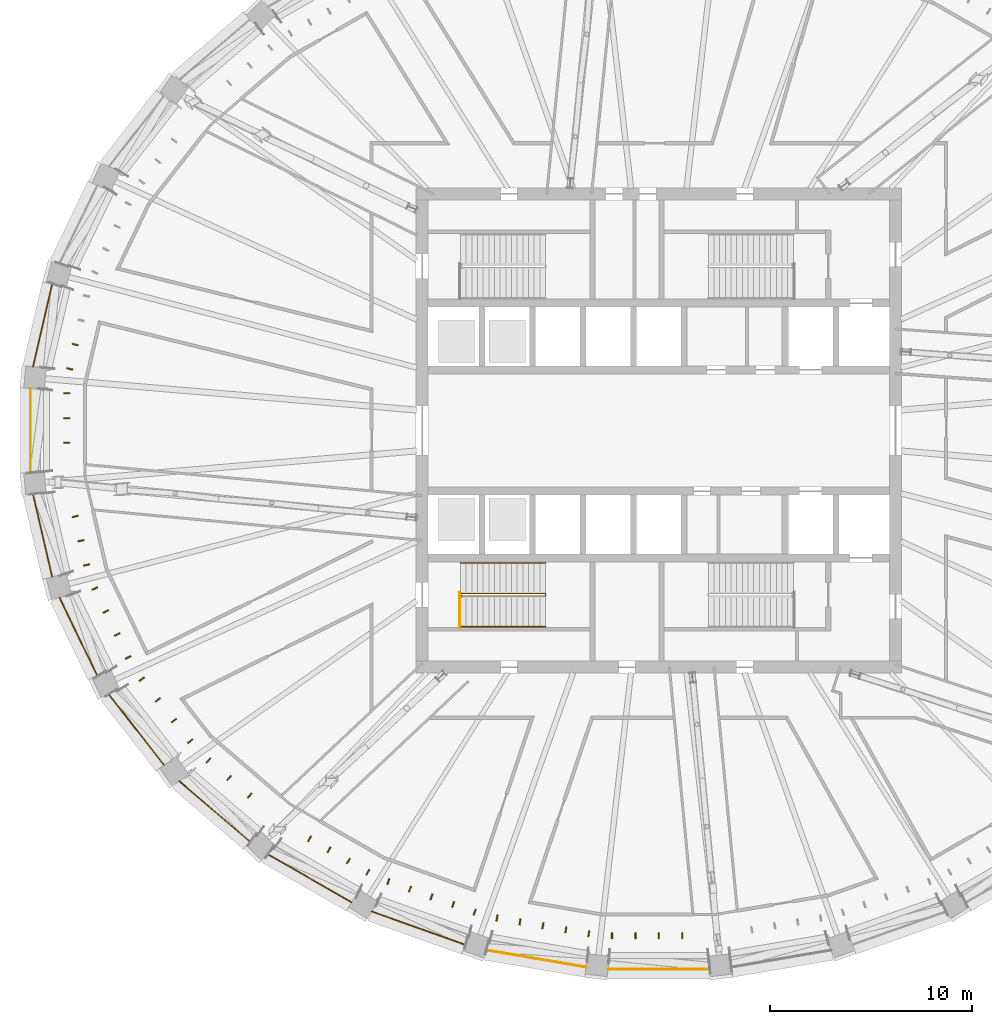
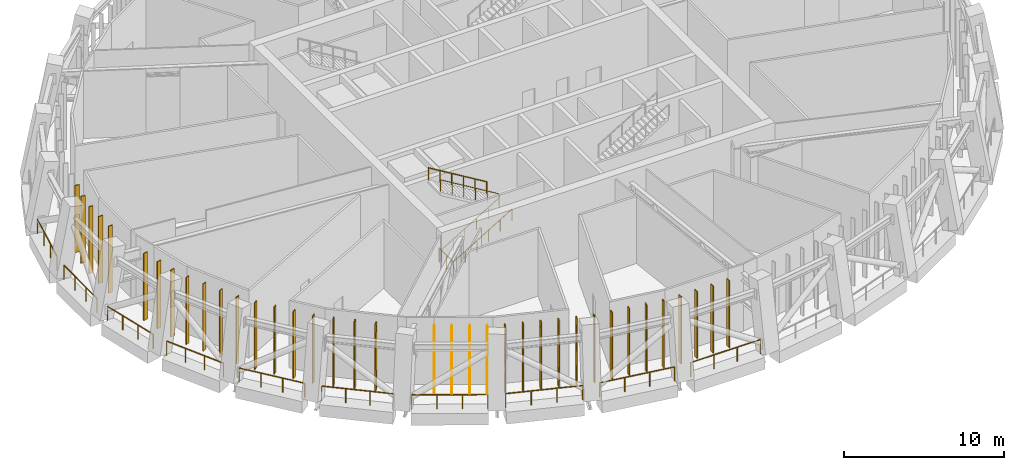
# One storey, part 16 of 20: 37 shading devices, 14 railings.
"""IFC4 building model written with IfcOpenShell, lengths in metres."""

from ifc_helpers import new_model, si_unit, direction, frame, origin, origin_2d, place, context, subcontext, project, spatial, rectangle, circle, extrude, material, material_profile, profile_set, type_object, element, save


model = new_model("IFC4")

# Units and contexts
model_context = context("Model", 3, precision=1e-05, world=origin(), true_north=direction((0.0, 1.0)))
body_context = subcontext(model_context, "Body", "Model", "MODEL_VIEW")
ifc_project = project(units=[si_unit("LENGTHUNIT", "METRE"), si_unit("AREAUNIT", "SQUARE_METRE"), si_unit("VOLUMEUNIT", "CUBIC_METRE"), si_unit("PLANEANGLEUNIT", "RADIAN"), si_unit("MASSUNIT", "GRAM", prefix="KILO")], contexts=[model_context])

# Site, building, storey
site_placement = place(None, origin())
site = spatial("IfcSite", under=ifc_project, at=site_placement, CompositionType="ELEMENT")
building_placement = place(site_placement, origin())
building = spatial("IfcBuilding", under=site, at=building_placement, Name="Halqa Exchange Tower", CompositionType="ELEMENT")
storey_placement = place(building_placement, frame((0.0, 0.0, 250.89990234375)))
storey = spatial("IfcBuildingStorey", under=building, at=storey_placement, Name="L58", CompositionType="ELEMENT", Elevation=250.89990234375)

# Shading devices
ifc_material_1 = material(Name="Anodised aluminium", Category="aluminium")
ifc_material_profile = material_profile(ifc_material_1, rectangle(XDim=0.300048828125, YDim=0.06005859375, at=origin_2d()), Name="AL FIN 300x60")
ifc_profile_set = profile_set([ifc_material_profile], Name="Anodised aluminium")
shading_device_type = type_object("IfcShadingDeviceType", Name="Aluminium louvre FIN 300 x 60", PredefinedType="USERDEFINED", material=ifc_profile_set)
for number, where, z_axis, x_axis, name in (
    (1, (-28.84716796875, 4.247314453125, 0.0), (0.0, 0.0, 1.0), (0.974113055311, -0.226061397572, 0.0), "Louvre FIN 15.3"),
    (2, (-29.125732421875, 3.046875, 0.0), (0.0, 0.0, 1.0), (0.974113055311, -0.226061397572, 0.0), "Louvre FIN 15.4"),
    (3, (-29.264892578125, 1.8349609375, 0.0), (0.0, 0.0, 1.0), (1.0, 0.0, 0.0), "Louvre FIN 16.1"),
    (4, (-29.264892578125, 0.611572265625, 0.0), (0.0, 0.0, 1.0), (1.0, 0.0, 0.0), "Louvre FIN 16.2"),
    (5, (-29.264892578125, -0.611572265625, 0.0), (0.0, 0.0, 1.0), (1.0, 0.0, 0.0), "Louvre FIN 16.3"),
    (6, (-28.84716796875, -4.247314453125, 0.0), (0.0, 0.0, 1.0), (0.974113055311, 0.226061397572, 0.0), "Louvre FIN 17.2"),
    (7, (-28.568359375, -5.447998046875, 0.0), (0.0, 0.0, 1.0), (0.974113055311, 0.226061397572, 0.0), "Louvre FIN 17.3"),
    (8, (-28.289794921875, -6.648681640625, 0.0), (0.0, 0.0, 1.0), (0.974113055311, 0.226061397572, 0.0), "Louvre FIN 17.4"),
    (9, (-27.876708984375, -7.815673828125, 0.0), (0.0, 0.0, 1.0), (0.900385607481, 0.435092815203, 0.0), "Louvre FIN 18.1"),
    (10, (-27.3291015625, -8.948974609375, 0.0), (0.0, 0.0, 1.0), (0.900385607481, 0.435092815203, 0.0), "Louvre FIN 18.2"),
    (11, (-26.781494140625, -10.08203125, 0.0), (0.0, 0.0, 1.0), (0.900385607481, 0.435092815203, 0.0), "Louvre FIN 18.3"),
    (12, (-26.23388671875, -11.21533203125, 0.0), (0.0, 0.0, 1.0), (0.900385607481, 0.435092815203, 0.0), "Louvre FIN 18.4"),
    (13, (-25.5615234375, -12.293212890625, 0.0), (0.0, 0.0, 1.0), (0.788670063644, 0.614816664309, 0.0), "Louvre FIN 19.1"),
    (14, (-24.764404296875, -13.31591796875, 0.0), (0.0, 0.0, 1.0), (0.788670063644, 0.614816664309, 0.0), "Louvre FIN 19.2"),
    (15, (-23.967041015625, -14.33837890625, 0.0), (0.0, 0.0, 1.0), (0.788670063644, 0.614816664309, 0.0), "Louvre FIN 19.3"),
    (16, (-23.169921875, -15.361083984375, 0.0), (0.0, 0.0, 1.0), (0.788670063644, 0.614816664309, 0.0), "Louvre FIN 19.4"),
    (17, (-22.2626953125, -16.30810546875, 0.0), (0.0, 0.0, 1.0), (0.650795419867, 0.759253133994, 0.0), "Louvre FIN 20.1"),
    (18, (-21.245361328125, -17.180419921875, 0.0), (0.0, 0.0, 1.0), (0.650795419867, 0.759253133994, 0.0), "Louvre FIN 20.2"),
    (19, (-20.22802734375, -18.05224609375, 0.0), (0.0, 0.0, 1.0), (0.650795419867, 0.759253133994, 0.0), "Louvre FIN 20.3"),
    (20, (-17.26318359375, -20.184326171875, 0.0), (0.0, 0.0, 1.0), (0.496984562745, 0.867759381622, 0.0), "Louvre FIN 21.2"),
    (21, (-16.303955078125, -20.733642578125, 0.0), (0.0, 0.0, 1.0), (0.496984562745, 0.867759381622, 0.0), "Louvre FIN 21.3"),
    (22, (-15.3447265625, -21.283203125, 0.0), (0.0, 0.0, 1.0), (0.496984562745, 0.867759381622, 0.0), "Louvre FIN 21.4"),
    (23, (-14.385498046875, -21.83251953125, 0.0), (0.0, 0.0, 1.0), (0.496984562745, 0.867759381622, 0.0), "Louvre FIN 21.5"),
    (24, (-13.371826171875, -22.296875, 0.0), (0.0, 0.0, 1.0), (0.334578355387, 0.94236793457, 0.0), "Louvre FIN 22.1"),
    (25, (-12.30419921875, -22.67578125, 0.0), (0.0, 0.0, 1.0), (0.334578355387, 0.94236793457, 0.0), "Louvre FIN 22.2"),
    (26, (-11.236328125, -23.054931640625, 0.0), (0.0, 0.0, 1.0), (0.334578355387, 0.94236793457, 0.0), "Louvre FIN 22.3"),
    (27, (-10.168701171875, -23.43408203125, 0.0), (0.0, 0.0, 1.0), (0.334578355387, 0.94236793457, 0.0), "Louvre FIN 22.4"),
    (28, (-9.100830078125, -23.81298828125, 0.0), (0.0, 0.0, 1.0), (0.334578355387, 0.94236793457, 0.0), "Louvre FIN 22.5"),
    (29, (-7.999755859375, -24.099365234375, 0.0), (0.0, 0.0, 1.0), (0.168066151282, 0.985775719316, 0.0), "Louvre FIN 23.1"),
    (30, (-6.864990234375, -24.29296875, 0.0), (0.0, 0.0, 1.0), (0.168066151282, 0.985775719316, 0.0), "Louvre FIN 23.2"),
    (31, (-5.730224609375, -24.486328125, 0.0), (0.0, 0.0, 1.0), (0.168066151282, 0.985775719316, 0.0), "Louvre FIN 23.3"),
    (32, (-4.595458984375, -24.6796875, 0.0), (0.0, 0.0, 1.0), (0.168066151282, 0.985775719316, 0.0), "Louvre FIN 23.4"),
    (33, (-3.460693359375, -24.873291015625, 0.0), (0.0, 0.0, 1.0), (0.168066151282, 0.985775719316, 0.0), "Louvre FIN 23.5"),
    (34, (-2.314697265625, -24.969970703125, 0.0), (0.0, 0.0, 1.0), (0.0, 1.0, 0.0), "Louvre FIN 24.1"),
    (35, (-1.157470703125, -24.969970703125, 0.0), (0.0, 0.0, 1.0), (0.0, 1.0, 0.0), "Louvre FIN 24.2"),
    (36, (0.0, -24.969970703125, 0.0), (0.0, 0.0, 1.0), (0.0, 1.0, 0.0), "Louvre FIN 24.3"),
    (37, (1.157470703125, -24.969970703125, 0.0), (0.0, 0.0, 1.0), (0.0, 1.0, 0.0), "Louvre FIN 24.4"),
):
    element("IfcShadingDevice", number, at=place(storey_placement, frame(where, z_axis=z_axis, x_axis=x_axis)), inside=storey, type_object=shading_device_type, Name=name, ObjectType="FIN", PredefinedType="USERDEFINED", context=body_context, shape_type="SweptSolid", body=[
        extrude(rectangle(XDim=0.300048828125, YDim=0.06005859375, at=origin_2d()), origin(), (0.0, 0.0, 1.0), 5.10009765625),
    ])

# Railings
ifc_material_2 = material(Name="Stainless steel", Category="steel")
railing_type_1 = type_object("IfcRailingType", Name="Guard 1100 stainless steel", PredefinedType="GUARDRAIL", material=ifc_material_2)
railing_1_placement = place(storey_placement, frame((-29.990966796875, 7.22998046875, 0.0)))
element("IfcRailing", 38, at=railing_1_placement, inside=storey, type_object=railing_type_1, Name="Band edge guard 15", PredefinedType="GUARDRAIL", context=body_context, shape_type="SweptSolid", body=[
    extrude(circle(Radius=0.02392578125, at=origin_2d()), frame((0.0, 0.0, 1.076171875), z_axis=(-0.226023818634, -0.974121775452, 0.0), x_axis=(0.974121775452, -0.226023818634, 0.0)), (0.0, 0.0, 1.0), 4.18017578125),
    extrude(circle(Radius=0.02099609375, at=origin_2d()), origin(), (0.0, 0.0, 1.0), 1.052001953125),
    extrude(circle(Radius=0.02099609375, at=origin_2d()), frame((-0.31494140625, -1.357421875, 0.0)), (0.0, 0.0, 1.0), 1.052001953125),
    extrude(circle(Radius=0.02099609375, at=origin_2d()), frame((-0.6298828125, -2.714599609375, 0.0)), (0.0, 0.0, 1.0), 1.052001953125),
    extrude(circle(Radius=0.02099609375, at=origin_2d()), frame((-0.94482421875, -4.072021484375, 0.0)), (0.0, 0.0, 1.0), 1.052001953125),
])
railing_2_placement = place(storey_placement, frame((-31.060302734375, 2.072021484375, 0.0)))
element("IfcRailing", 39, at=railing_2_placement, inside=storey, type_object=railing_type_1, Name="Band edge guard 16", PredefinedType="GUARDRAIL", context=body_context, shape_type="SweptSolid", body=[
    extrude(circle(Radius=0.02392578125, at=origin_2d()), frame((0.0, 0.0, 1.076171875), z_axis=(0.0, -1.0, 0.0), x_axis=(1.0, 0.0, 0.0)), (0.0, 0.0, 1.0), 4.14404296875),
    extrude(circle(Radius=0.02099609375, at=origin_2d()), origin(), (0.0, 0.0, 1.0), 1.052001953125),
    extrude(circle(Radius=0.02099609375, at=origin_2d()), frame((0.0, -1.38134765625, 0.0)), (0.0, 0.0, 1.0), 1.052001953125),
    extrude(circle(Radius=0.02099609375, at=origin_2d()), frame((0.0, -2.7626953125, 0.0)), (0.0, 0.0, 1.0), 1.052001953125),
    extrude(circle(Radius=0.02099609375, at=origin_2d()), frame((0.0, -4.14404296875, 0.0)), (0.0, 0.0, 1.0), 1.052001953125),
])
railing_3_placement = place(storey_placement, frame((-30.935791015625, -3.157958984375, 0.0)))
element("IfcRailing", 40, at=railing_3_placement, inside=storey, type_object=railing_type_1, Name="Band edge guard 17", PredefinedType="GUARDRAIL", context=body_context, shape_type="SweptSolid", body=[
    extrude(circle(Radius=0.02392578125, at=origin_2d()), frame((0.0, 0.0, 1.076171875), z_axis=(0.226023818634, -0.974121775452, 0.0), x_axis=(0.974121775452, 0.226023818634, 0.0)), (0.0, 0.0, 1.0), 4.18017578125),
    extrude(circle(Radius=0.02099609375, at=origin_2d()), origin(), (0.0, 0.0, 1.0), 1.052001953125),
    extrude(circle(Radius=0.02099609375, at=origin_2d()), frame((0.31494140625, -1.357421875, 0.0)), (0.0, 0.0, 1.0), 1.052001953125),
    extrude(circle(Radius=0.02099609375, at=origin_2d()), frame((0.6298828125, -2.714599609375, 0.0)), (0.0, 0.0, 1.0), 1.052001953125),
    extrude(circle(Radius=0.02099609375, at=origin_2d()), frame((0.94482421875, -4.072021484375, 0.0)), (0.0, 0.0, 1.0), 1.052001953125),
])
railing_4_placement = place(storey_placement, frame((-29.627197265625, -8.260986328125, 0.0)))
element("IfcRailing", 41, at=railing_4_placement, inside=storey, type_object=railing_type_1, Name="Band edge guard 18", PredefinedType="GUARDRAIL", context=body_context, shape_type="SweptSolid", body=[
    extrude(circle(Radius=0.02392578125, at=origin_2d()), frame((0.0, 0.0, 1.076171875), z_axis=(0.435128594947, -0.900368316779, 0.0), x_axis=(0.900368316779, 0.435128594947, 0.0)), (0.0, 0.0, 1.0), 4.281005859375),
    extrude(circle(Radius=0.02099609375, at=origin_2d()), origin(), (0.0, 0.0, 1.0), 1.052001953125),
    extrude(circle(Radius=0.02099609375, at=origin_2d()), frame((0.620849609375, -1.284912109375, 0.0)), (0.0, 0.0, 1.0), 1.052001953125),
    extrude(circle(Radius=0.02099609375, at=origin_2d()), frame((1.241943359375, -2.569580078125, 0.0)), (0.0, 0.0, 1.0), 1.052001953125),
    extrude(circle(Radius=0.02099609375, at=origin_2d()), frame((1.86279296875, -3.8544921875, 0.0)), (0.0, 0.0, 1.0), 1.052001953125),
])
railing_5_placement = place(storey_placement, frame((-27.18701171875, -13.044677734375, 0.0)))
element("IfcRailing", 42, at=railing_5_placement, inside=storey, type_object=railing_type_1, Name="Band edge guard 19", PredefinedType="GUARDRAIL", context=body_context, shape_type="SweptSolid", body=[
    extrude(circle(Radius=0.02392578125, at=origin_2d()), frame((0.0, 0.0, 1.076171875), z_axis=(0.614837099367, -0.788654132838, 0.0), x_axis=(0.788654132838, 0.614837099367, 0.0)), (0.0, 0.0, 1.0), 4.4287109375),
    extrude(circle(Radius=0.02099609375, at=origin_2d()), origin(), (0.0, 0.0, 1.0), 1.052001953125),
    extrude(circle(Radius=0.02099609375, at=origin_2d()), frame((0.90771484375, -1.164306640625, 0.0)), (0.0, 0.0, 1.0), 1.052001953125),
    extrude(circle(Radius=0.02099609375, at=origin_2d()), frame((1.815185546875, -2.328369140625, 0.0)), (0.0, 0.0, 1.0), 1.052001953125),
    extrude(circle(Radius=0.02099609375, at=origin_2d()), frame((2.722900390625, -3.49267578125, 0.0)), (0.0, 0.0, 1.0), 1.052001953125),
])
railing_6_placement = place(storey_placement, frame((-23.70849609375, -17.3291015625, 0.0)))
element("IfcRailing", 43, at=railing_6_placement, inside=storey, type_object=railing_type_1, Name="Band edge guard 20", PredefinedType="GUARDRAIL", context=body_context, shape_type="SweptSolid", body=[
    extrude(circle(Radius=0.02392578125, at=origin_2d()), frame((0.0, 0.0, 1.076171875), z_axis=(0.759260350244, -0.650787000905, 0.0), x_axis=(0.650787000905, 0.759260350244, 0.0)), (0.0, 0.0, 1.0), 4.59814453125),
    extrude(circle(Radius=0.02099609375, at=origin_2d()), origin(), (0.0, 0.0, 1.0), 1.052001953125),
    extrude(circle(Radius=0.02099609375, at=origin_2d()), frame((1.163818359375, -0.99755859375, 0.0)), (0.0, 0.0, 1.0), 1.052001953125),
    extrude(circle(Radius=0.02099609375, at=origin_2d()), frame((2.327392578125, -1.994873046875, 0.0)), (0.0, 0.0, 1.0), 1.052001953125),
    extrude(circle(Radius=0.02099609375, at=origin_2d()), frame((3.4912109375, -2.992431640625, 0.0)), (0.0, 0.0, 1.0), 1.052001953125),
])
railing_7_placement = place(storey_placement, frame((-19.322509765625, -20.952880859375, 0.0)))
element("IfcRailing", 44, at=railing_7_placement, inside=storey, type_object=railing_type_1, Name="Band edge guard 21", PredefinedType="GUARDRAIL", context=body_context, shape_type="SweptSolid", body=[
    extrude(circle(Radius=0.02392578125, at=origin_2d()), frame((0.0, 0.0, 1.076171875), z_axis=(0.867760081541, -0.496983340651, 0.0), x_axis=(0.496983340651, 0.867760081541, 0.0)), (0.0, 0.0, 1.0), 4.7626953125),
    extrude(circle(Radius=0.02099609375, at=origin_2d()), origin(), (0.0, 0.0, 1.0), 1.052001953125),
    extrude(circle(Radius=0.02099609375, at=origin_2d()), frame((1.377685546875, -0.7890625, 0.0)), (0.0, 0.0, 1.0), 1.052001953125),
    extrude(circle(Radius=0.02099609375, at=origin_2d()), frame((2.755126953125, -1.577880859375, 0.0)), (0.0, 0.0, 1.0), 1.052001953125),
    extrude(circle(Radius=0.02099609375, at=origin_2d()), frame((4.1328125, -2.366943359375, 0.0)), (0.0, 0.0, 1.0), 1.052001953125),
])
railing_8_placement = place(storey_placement, frame((-14.194091796875, -23.777099609375, 0.0)))
element("IfcRailing", 45, at=railing_8_placement, inside=storey, type_object=railing_type_1, Name="Band edge guard 22", PredefinedType="GUARDRAIL", context=body_context, shape_type="SweptSolid", body=[
    extrude(circle(Radius=0.02392578125, at=origin_2d()), frame((0.0, 0.0, 1.076171875), z_axis=(0.942363882557, -0.334589768002, 0.0), x_axis=(0.334589768002, 0.942363882557, 0.0)), (0.0, 0.0, 1.0), 4.898193359375),
    extrude(circle(Radius=0.02099609375, at=origin_2d()), origin(), (0.0, 0.0, 1.0), 1.052001953125),
    extrude(circle(Radius=0.02099609375, at=origin_2d()), frame((1.53857421875, -0.54638671875, 0.0)), (0.0, 0.0, 1.0), 1.052001953125),
    extrude(circle(Radius=0.02099609375, at=origin_2d()), frame((3.077392578125, -1.092529296875, 0.0)), (0.0, 0.0, 1.0), 1.052001953125),
    extrude(circle(Radius=0.02099609375, at=origin_2d()), frame((4.615966796875, -1.638916015625, 0.0)), (0.0, 0.0, 1.0), 1.052001953125),
])
railing_9_placement = place(storey_placement, frame((-8.517822265625, -25.6923828125, 0.0)))
element("IfcRailing", 46, at=railing_9_placement, inside=storey, type_object=railing_type_1, Name="Band edge guard 23", PredefinedType="GUARDRAIL", context=body_context, shape_type="SweptSolid", body=[
    extrude(circle(Radius=0.02392578125, at=origin_2d()), frame((0.0, 0.0, 1.076171875), z_axis=(0.985770472782, -0.168096921419, 0.0), x_axis=(0.168096921419, 0.985770472782, 0.0)), (0.0, 0.0, 1.0), 4.987548828125),
    extrude(circle(Radius=0.02099609375, at=origin_2d()), origin(), (0.0, 0.0, 1.0), 1.052001953125),
    extrude(circle(Radius=0.02099609375, at=origin_2d()), frame((1.638916015625, -0.279541015625, 0.0)), (0.0, 0.0, 1.0), 1.052001953125),
    extrude(circle(Radius=0.02099609375, at=origin_2d()), frame((3.277587890625, -0.558837890625, 0.0)), (0.0, 0.0, 1.0), 1.052001953125),
    extrude(circle(Radius=0.02099609375, at=origin_2d()), frame((4.91650390625, -0.83837890625, 0.0)), (0.0, 0.0, 1.0), 1.052001953125),
])
railing_10_placement = place(storey_placement, frame((-2.50927734375, -26.623046875, 0.0)))
element("IfcRailing", 47, at=railing_10_placement, inside=storey, type_object=railing_type_1, Name="Band edge guard 24", PredefinedType="GUARDRAIL", context=body_context, shape_type="SweptSolid", body=[
    extrude(circle(Radius=0.02392578125, at=origin_2d()), frame((0.0, 0.0, 1.076171875), z_axis=(1.0, 0.0, 0.0), x_axis=(0.0, 1.0, 0.0)), (0.0, 0.0, 1.0), 5.0185546875),
    extrude(circle(Radius=0.02099609375, at=origin_2d()), origin(), (0.0, 0.0, 1.0), 1.052001953125),
    extrude(circle(Radius=0.02099609375, at=origin_2d()), frame((1.6728515625, 0.0, 0.0)), (0.0, 0.0, 1.0), 1.052001953125),
    extrude(circle(Radius=0.02099609375, at=origin_2d()), frame((3.345703125, 0.0, 0.0)), (0.0, 0.0, 1.0), 1.052001953125),
    extrude(circle(Radius=0.02099609375, at=origin_2d()), frame((5.0185546875, 0.0, 0.0)), (0.0, 0.0, 1.0), 1.052001953125),
])
railing_type_2 = type_object("IfcRailingType", Name="Stair handrail 900", PredefinedType="HANDRAIL", material=ifc_material_2)
railing_11_placement = place(storey_placement, frame((-9.800048828125, -8.18994140625, 0.168701171875)))
element("IfcRailing", 48, at=railing_11_placement, inside=storey, type_object=railing_type_2, Name="Handrail ST3.1", PredefinedType="HANDRAIL", context=body_context, shape_type="SweptSolid", body=[
    extrude(circle(Radius=0.02392578125, at=origin_2d()), frame((0.0, 0.0, 0.8759765625), z_axis=(0.856454481726, 0.0, 0.516222549615), x_axis=(0.0, 1.0, 0.0)), (0.0, 0.0, 1.0), 4.90380859375),
    extrude(circle(Radius=0.02392578125, at=origin_2d()), frame((4.199951171875, 0.0, 3.4072265625), z_axis=(0.0, 0.610043206925, 0.792368150348), x_axis=(-1.0, 0.0, 0.0)), (0.0, 0.0, 1.0), 0.212890625),
    extrude(circle(Radius=0.02392578125, at=origin_2d()), frame((4.199951171875, 0.1298828125, 3.576171875), z_axis=(-0.856476492594, 0.0, 0.516186030065), x_axis=(0.0, -1.0, 0.0)), (0.0, 0.0, 1.0), 4.90380859375),
    extrude(circle(Radius=0.02099609375, at=origin_2d()), origin(), (0.0, 0.0, 1.0), 0.851806640625),
    extrude(circle(Radius=0.02099609375, at=origin_2d()), frame((0.840087890625, 0.0, 0.50634765625)), (0.0, 0.0, 1.0), 0.851806640625),
    extrude(circle(Radius=0.02099609375, at=origin_2d()), frame((1.679931640625, 0.0, 1.0126953125)), (0.0, 0.0, 1.0), 0.851806640625),
    extrude(circle(Radius=0.02099609375, at=origin_2d()), frame((2.52001953125, 0.0, 1.518798828125)), (0.0, 0.0, 1.0), 0.851806640625),
    extrude(circle(Radius=0.02099609375, at=origin_2d()), frame((3.35986328125, 0.0, 2.025146484375)), (0.0, 0.0, 1.0), 0.851806640625),
    extrude(circle(Radius=0.02099609375, at=origin_2d()), frame((4.199951171875, 0.0, 2.531494140625)), (0.0, 0.0, 1.0), 0.851806640625),
    extrude(circle(Radius=0.02099609375, at=origin_2d()), frame((4.199951171875, 0.1298828125, 2.7001953125)), (0.0, 0.0, 1.0), 0.851806640625),
    extrude(circle(Radius=0.02099609375, at=origin_2d()), frame((3.35986328125, 0.1298828125, 3.20654296875)), (0.0, 0.0, 1.0), 0.851806640625),
    extrude(circle(Radius=0.02099609375, at=origin_2d()), frame((2.52001953125, 0.1298828125, 3.712646484375)), (0.0, 0.0, 1.0), 0.851806640625),
    extrude(circle(Radius=0.02099609375, at=origin_2d()), frame((1.679931640625, 0.1298828125, 4.218994140625)), (0.0, 0.0, 1.0), 0.851806640625),
    extrude(circle(Radius=0.02099609375, at=origin_2d()), frame((0.840087890625, 0.1298828125, 4.72509765625)), (0.0, 0.0, 1.0), 0.851806640625),
    extrude(circle(Radius=0.02099609375, at=origin_2d()), frame((0.0, 0.1298828125, 5.2314453125)), (0.0, 0.0, 1.0), 0.851806640625),
])
railing_12_placement = place(storey_placement, frame((-9.800048828125, -9.699951171875, 0.168701171875)))
element("IfcRailing", 49, at=railing_12_placement, inside=storey, type_object=railing_type_2, Name="Handrail ST3.2", PredefinedType="HANDRAIL", context=body_context, shape_type="SweptSolid", body=[
    extrude(circle(Radius=0.02392578125, at=origin_2d()), frame((0.0, 0.0, 0.8759765625), z_axis=(0.856454481726, 0.0, 0.516222549615), x_axis=(0.0, 1.0, 0.0)), (0.0, 0.0, 1.0), 4.90380859375),
    extrude(circle(Radius=0.02099609375, at=origin_2d()), origin(), (0.0, 0.0, 1.0), 0.851806640625),
    extrude(circle(Radius=0.02099609375, at=origin_2d()), frame((0.840087890625, 0.0, 0.50634765625)), (0.0, 0.0, 1.0), 0.851806640625),
    extrude(circle(Radius=0.02099609375, at=origin_2d()), frame((1.679931640625, 0.0, 1.0126953125)), (0.0, 0.0, 1.0), 0.851806640625),
    extrude(circle(Radius=0.02099609375, at=origin_2d()), frame((2.52001953125, 0.0, 1.518798828125)), (0.0, 0.0, 1.0), 0.851806640625),
    extrude(circle(Radius=0.02099609375, at=origin_2d()), frame((3.35986328125, 0.0, 2.025146484375)), (0.0, 0.0, 1.0), 0.851806640625),
    extrude(circle(Radius=0.02099609375, at=origin_2d()), frame((4.199951171875, 0.0, 2.531494140625)), (0.0, 0.0, 1.0), 0.851806640625),
])
railing_13_placement = place(storey_placement, frame((-5.60009765625, -6.550048828125, 2.868896484375)))
element("IfcRailing", 50, at=railing_13_placement, inside=storey, type_object=railing_type_2, Name="Handrail ST3.3", PredefinedType="HANDRAIL", context=body_context, shape_type="SweptSolid", body=[
    extrude(circle(Radius=0.02392578125, at=origin_2d()), frame((0.0, 0.0, 0.8759765625), z_axis=(-0.856476492594, 0.0, 0.516186030065), x_axis=(0.0, -1.0, 0.0)), (0.0, 0.0, 1.0), 4.90380859375),
    extrude(circle(Radius=0.02099609375, at=origin_2d()), origin(), (0.0, 0.0, 1.0), 0.851806640625),
    extrude(circle(Radius=0.02099609375, at=origin_2d()), frame((-0.840087890625, 0.0, 0.50634765625)), (0.0, 0.0, 1.0), 0.851806640625),
    extrude(circle(Radius=0.02099609375, at=origin_2d()), frame((-1.679931640625, 0.0, 1.012451171875)), (0.0, 0.0, 1.0), 0.851806640625),
    extrude(circle(Radius=0.02099609375, at=origin_2d()), frame((-2.52001953125, 0.0, 1.518798828125)), (0.0, 0.0, 1.0), 0.851806640625),
    extrude(circle(Radius=0.02099609375, at=origin_2d()), frame((-3.35986328125, 0.0, 2.02490234375)), (0.0, 0.0, 1.0), 0.851806640625),
    extrude(circle(Radius=0.02099609375, at=origin_2d()), frame((-4.199951171875, 0.0, 2.53125)), (0.0, 0.0, 1.0), 0.851806640625),
])
railing_type_3 = type_object("IfcRailingType", Name="Stair well guard 1100", PredefinedType="GUARDRAIL", material=ifc_material_2)
railing_14_placement = place(storey_placement, frame((-9.85009765625, -9.75, 0.0)))
element("IfcRailing", 51, at=railing_14_placement, inside=storey, type_object=railing_type_3, Name="Guard ST3 well", PredefinedType="GUARDRAIL", context=body_context, shape_type="SweptSolid", body=[
    extrude(circle(Radius=0.02392578125, at=origin_2d()), frame((0.0, 0.0, 1.076171875), z_axis=(0.0, 1.0, 0.0), x_axis=(-1.0, 0.0, 0.0)), (0.0, 0.0, 1.0), 1.75),
    extrude(circle(Radius=0.02099609375, at=origin_2d()), origin(), (0.0, 0.0, 1.0), 1.052001953125),
    extrude(circle(Radius=0.02099609375, at=origin_2d()), frame((0.0, 0.875, 0.0)), (0.0, 0.0, 1.0), 1.052001953125),
    extrude(circle(Radius=0.02099609375, at=origin_2d()), frame((0.0, 1.75, 0.0)), (0.0, 0.0, 1.0), 1.052001953125),
])

save(model, "model.ifc")
